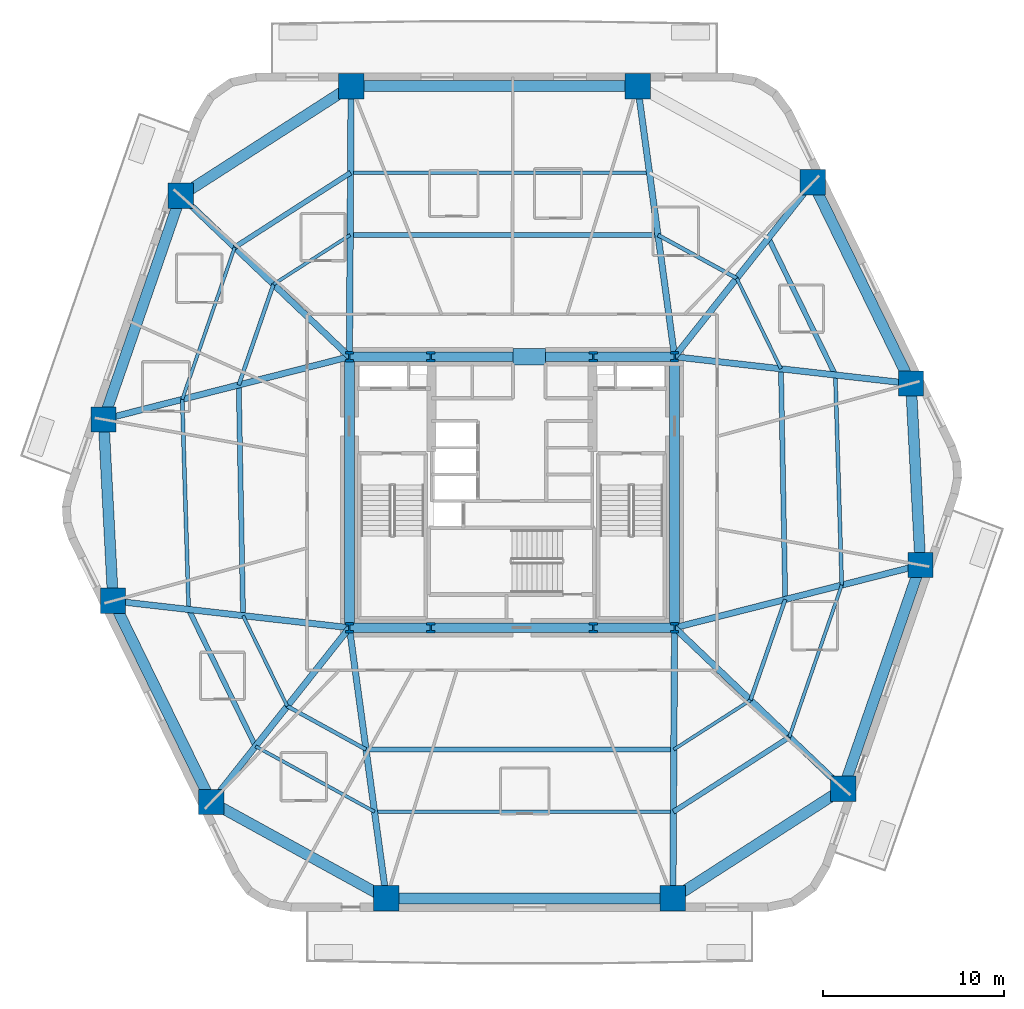
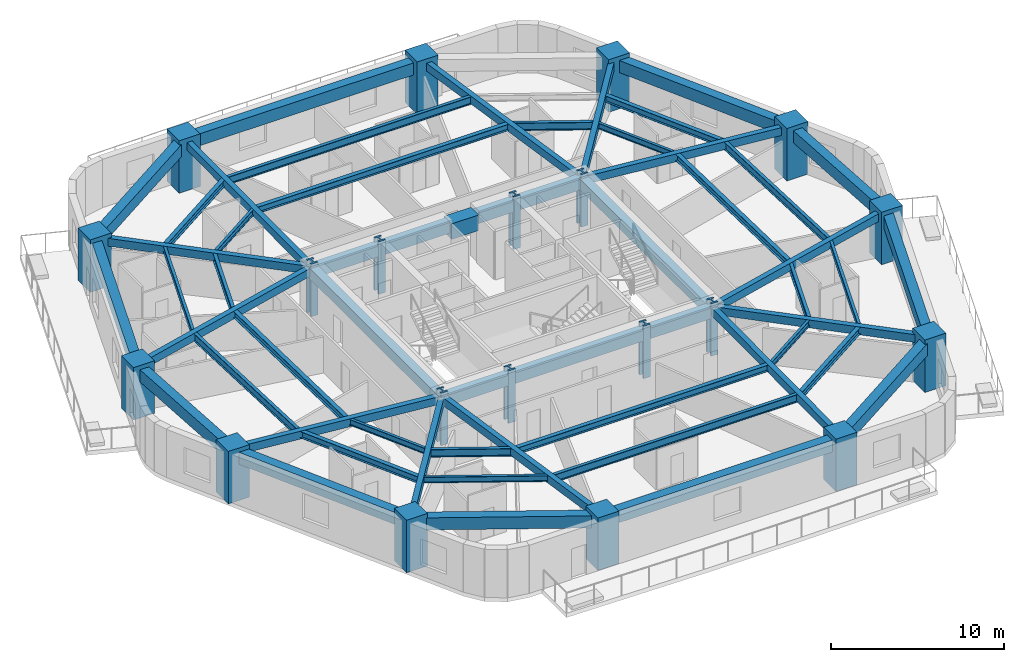
# One storey, part 1 of 10: 55 beams, 20 columns.
"""IFC4 building model written with IfcOpenShell, lengths in metres."""

from ifc_helpers import new_model, si_unit, direction, frame, origin, origin_2d, place, context, subcontext, project, spatial, rectangle, i_section, extrude, material, material_profile, profile_set, type_object, element, save


model = new_model("IFC4")

# Units and contexts
model_context = context("Model", 3, precision=1e-05, world=origin(), true_north=direction((0.0, 1.0)))
body_context = subcontext(model_context, "Body", "Model", "MODEL_VIEW")
ifc_project = project(units=[si_unit("LENGTHUNIT", "METRE"), si_unit("AREAUNIT", "SQUARE_METRE"), si_unit("VOLUMEUNIT", "CUBIC_METRE"), si_unit("PLANEANGLEUNIT", "RADIAN"), si_unit("MASSUNIT", "GRAM", prefix="KILO")], contexts=[model_context])

# Site, building, storey
site_placement = place(None, origin())
site = spatial("IfcSite", under=ifc_project, at=site_placement, CompositionType="ELEMENT")
building_placement = place(site_placement, origin())
building = spatial("IfcBuilding", under=site, at=building_placement, Name="Kilnhurst Terrace Hotel", CompositionType="ELEMENT")
storey_placement = place(building_placement, frame((0.0, 0.0, 71.199951171875)))
storey = spatial("IfcBuildingStorey", under=building, at=storey_placement, Name="L16", CompositionType="ELEMENT", Elevation=71.199951171875)

# Columns
ifc_material_1 = material(Name="Concrete C80/95", Category="concrete")
ifc_material_profile_1 = material_profile(ifc_material_1, rectangle(XDim=1.39990234375, YDim=1.39990234375, at=origin_2d()), Name="RC1400X1400")
ifc_profile_set_1 = profile_set([ifc_material_profile_1], Name="Concrete C80/95")
column_type_1 = type_object("IfcColumnType", Name="COL-RC-1400", PredefinedType="COLUMN", material=ifc_profile_set_1)
for number, where, z_axis, x_axis, name in (
    (1, (-6.955078125, -22.47998046875, 0.0), (0.0, 0.0, 1.0), (1.0, 0.0, 0.0), "L16 Structural Column PC-F11"),
    (2, (8.905029296875, -22.47998046875, 0.0), (0.0, 0.0, 1.0), (1.0, 0.0, 0.0), "L16 Structural Column PC-F12"),
    (3, (18.337890625, -16.410888671875, 0.0), (0.0, 0.0, 1.0), (1.0, 0.0, 0.0), "L16 Structural Column PC-F21"),
    (4, (22.60888671875, -4.029052734375, 0.0), (0.0, 0.0, 1.0), (1.0, 0.0, 0.0), "L16 Structural Column PC-F22"),
    (5, (22.083984375, 6.013916015625, 0.0), (0.0, 0.0, 1.0), (1.0, 0.0, 0.0), "L16 Structural Column PC-F31"),
    (6, (16.64306640625, 17.152099609375, 0.0), (0.0, 0.0, 1.0), (1.0, 0.0, 0.0), "L16 Structural Column PC-F32"),
    (7, (6.955078125, 22.47998046875, 0.0), (0.0, 0.0, 1.0), (1.0, 0.0, 0.0), "L16 Structural Column PC-F41"),
    (8, (-8.905029296875, 22.47998046875, 0.0), (0.0, 0.0, 1.0), (1.0, 0.0, 0.0), "L16 Structural Column PC-F42"),
    (9, (-18.337890625, 16.410888671875, 0.0), (0.0, 0.0, 1.0), (1.0, 0.0, 0.0), "L16 Structural Column PC-F51"),
    (10, (-22.60888671875, 4.029052734375, 0.0), (0.0, 0.0, 1.0), (1.0, 0.0, 0.0), "L16 Structural Column PC-F52"),
    (11, (-22.083984375, -6.013916015625, 0.0), (0.0, 0.0, 1.0), (1.0, 0.0, 0.0), "L16 Structural Column PC-F61"),
    (12, (-16.64306640625, -17.152099609375, 0.0), (0.0, 0.0, 1.0), (1.0, 0.0, 0.0), "L16 Structural Column PC-F62"),
):
    element("IfcColumn", number, at=place(storey_placement, frame(where, z_axis=z_axis, x_axis=x_axis)), inside=storey, type_object=column_type_1, Name=name, PredefinedType="COLUMN", context=body_context, shape_type="SweptSolid", body=[
        extrude(rectangle(XDim=1.39990234375, YDim=1.39990234375, at=origin_2d()), origin(), (0.0, 0.0, 1.0), 3.699951171875),
    ])
ifc_material_2 = material(Name="Steel ASTM A992 Grade 50", Category="steel")
ifc_material_profile_2 = material_profile(ifc_material_2, i_section(OverallWidth=0.454345703125, OverallDepth=0.569091796875, WebThickness=0.077880859375, FlangeThickness=0.124755859375, at=origin_2d()), Name="W14X730")
ifc_profile_set_2 = profile_set([ifc_material_profile_2], Name="Steel ASTM A992 Grade 50")
column_type_2 = type_object("IfcColumnType", Name="COL-STL-W14X730", PredefinedType="COLUMN", material=ifc_profile_set_2)
for number, where, z_axis, x_axis, name in (
    (13, (-9.0, -7.5, 0.0), (0.0, 0.0, 1.0), (1.0, 0.0, 0.0), "L16 Structural Column CC-SW"),
    (14, (-4.5, -7.5, 0.0), (0.0, 0.0, 1.0), (1.0, 0.0, 0.0), "L16 Structural Column CC-SC1"),
    (15, (4.5, -7.5, 0.0), (0.0, 0.0, 1.0), (1.0, 0.0, 0.0), "L16 Structural Column CC-SC2"),
    (16, (9.0, -7.5, 0.0), (0.0, 0.0, 1.0), (1.0, 0.0, 0.0), "L16 Structural Column CC-SE"),
    (17, (9.0, 7.5, 0.0), (0.0, 0.0, 1.0), (1.0, 0.0, 0.0), "L16 Structural Column CC-NE"),
    (18, (4.5, 7.5, 0.0), (0.0, 0.0, 1.0), (1.0, 0.0, 0.0), "L16 Structural Column CC-NC2"),
    (19, (-4.5, 7.5, 0.0), (0.0, 0.0, 1.0), (1.0, 0.0, 0.0), "L16 Structural Column CC-NC1"),
    (20, (-9.0, 7.5, 0.0), (0.0, 0.0, 1.0), (1.0, 0.0, 0.0), "L16 Structural Column CC-NW"),
):
    element("IfcColumn", number, at=place(storey_placement, frame(where, z_axis=z_axis, x_axis=x_axis)), inside=storey, type_object=column_type_2, Name=name, PredefinedType="COLUMN", context=body_context, shape_type="SweptSolid", body=[
        extrude(i_section(OverallWidth=0.454345703125, OverallDepth=0.569091796875, WebThickness=0.077880859375, FlangeThickness=0.124755859375, at=origin_2d()), origin(), (0.0, 0.0, 1.0), 3.699951171875),
    ])

# Beams
ifc_material_3 = material(Name="Concrete C50/60", Category="concrete")
ifc_material_profile_3 = material_profile(ifc_material_3, rectangle(XDim=0.35009765625, YDim=0.550048828125, at=origin_2d()), Name="RC350X550")
ifc_profile_set_3 = profile_set([ifc_material_profile_3], Name="Concrete C50/60")
beam_type_1 = type_object("IfcBeamType", Name="BM-RAD-350X550", PredefinedType="BEAM", material=ifc_profile_set_3)
beam_1_placement = place(storey_placement, frame((-9.0, -7.5, 3.125), z_axis=(0.13525588246, -0.990810701527, 0.0), x_axis=(0.990810701527, 0.13525588246, 0.0)))
element("IfcBeam", 21, at=beam_1_placement, inside=storey, type_object=beam_type_1, Name="L16 Radial Floor Beam 1", PredefinedType="BEAM", context=body_context, shape_type="SweptSolid", body=[
    extrude(rectangle(XDim=0.35009765625, YDim=0.550048828125, at=origin_2d()), origin(), (0.0, 0.0, 1.0), 15.118896484375),
])
beam_2_placement = place(storey_placement, frame((9.0, -7.5, 3.125), z_axis=(-0.006339714179, -0.99997990381, 0.0), x_axis=(0.99997990381, -0.006339714179, 0.0)))
element("IfcBeam", 22, at=beam_2_placement, inside=storey, type_object=beam_type_1, Name="L16 Radial Floor Beam 2", PredefinedType="BEAM", context=body_context, shape_type="SweptSolid", body=[
    extrude(rectangle(XDim=0.35009765625, YDim=0.550048828125, at=origin_2d()), origin(), (0.0, 0.0, 1.0), 14.980224609375),
])
beam_3_placement = place(storey_placement, frame((9.0, -7.5, 3.125), z_axis=(0.723454302813, -0.690372270403, 0.0), x_axis=(0.690372270403, 0.723454302813, 0.0)))
element("IfcBeam", 23, at=beam_3_placement, inside=storey, type_object=beam_type_1, Name="L16 Radial Floor Beam 3", PredefinedType="BEAM", context=body_context, shape_type="SweptSolid", body=[
    extrude(rectangle(XDim=0.35009765625, YDim=0.550048828125, at=origin_2d()), origin(), (0.0, 0.0, 1.0), 12.907470703125),
])
beam_4_placement = place(storey_placement, frame((9.0, -7.5, 3.125), z_axis=(0.968980179812, 0.247138445273, 0.0), x_axis=(-0.247138445273, 0.968980179812, 0.0)))
element("IfcBeam", 24, at=beam_4_placement, inside=storey, type_object=beam_type_1, Name="L16 Radial Floor Beam 4", PredefinedType="BEAM", context=body_context, shape_type="SweptSolid", body=[
    extrude(rectangle(XDim=0.35009765625, YDim=0.550048828125, at=origin_2d()), origin(), (0.0, 0.0, 1.0), 14.04443359375),
])
beam_5_placement = place(storey_placement, frame((9.0, 7.5, 3.125), z_axis=(0.993611493249, -0.112854776075, 0.0), x_axis=(0.112854776075, 0.993611493249, 0.0)))
element("IfcBeam", 25, at=beam_5_placement, inside=storey, type_object=beam_type_1, Name="L16 Radial Floor Beam 5", PredefinedType="BEAM", context=body_context, shape_type="SweptSolid", body=[
    extrude(rectangle(XDim=0.35009765625, YDim=0.550048828125, at=origin_2d()), origin(), (0.0, 0.0, 1.0), 13.168212890625),
])
beam_6_placement = place(storey_placement, frame((9.0, 7.5, 3.125), z_axis=(0.62079385707, 0.783973843329, 0.0), x_axis=(-0.783973843329, 0.62079385707, 0.0)))
element("IfcBeam", 26, at=beam_6_placement, inside=storey, type_object=beam_type_1, Name="L16 Radial Floor Beam 6", PredefinedType="BEAM", context=body_context, shape_type="SweptSolid", body=[
    extrude(rectangle(XDim=0.35009765625, YDim=0.550048828125, at=origin_2d()), origin(), (0.0, 0.0, 1.0), 12.311767578125),
])
beam_7_placement = place(storey_placement, frame((9.0, 7.5, 3.125), z_axis=(-0.13525588246, 0.990810701527, 0.0), x_axis=(-0.990810701527, -0.13525588246, 0.0)))
element("IfcBeam", 27, at=beam_7_placement, inside=storey, type_object=beam_type_1, Name="L16 Radial Floor Beam 7", PredefinedType="BEAM", context=body_context, shape_type="SweptSolid", body=[
    extrude(rectangle(XDim=0.35009765625, YDim=0.550048828125, at=origin_2d()), origin(), (0.0, 0.0, 1.0), 15.118896484375),
])
beam_8_placement = place(storey_placement, frame((-9.0, 7.5, 3.125), z_axis=(0.006339714179, 0.99997990381, 0.0), x_axis=(-0.99997990381, 0.006339714179, 0.0)))
element("IfcBeam", 28, at=beam_8_placement, inside=storey, type_object=beam_type_1, Name="L16 Radial Floor Beam 8", PredefinedType="BEAM", context=body_context, shape_type="SweptSolid", body=[
    extrude(rectangle(XDim=0.35009765625, YDim=0.550048828125, at=origin_2d()), origin(), (0.0, 0.0, 1.0), 14.980224609375),
])
beam_9_placement = place(storey_placement, frame((-9.0, 7.5, 3.125), z_axis=(-0.723454302813, 0.690372270403, 0.0), x_axis=(-0.690372270403, -0.723454302813, 0.0)))
element("IfcBeam", 29, at=beam_9_placement, inside=storey, type_object=beam_type_1, Name="L16 Radial Floor Beam 9", PredefinedType="BEAM", context=body_context, shape_type="SweptSolid", body=[
    extrude(rectangle(XDim=0.35009765625, YDim=0.550048828125, at=origin_2d()), origin(), (0.0, 0.0, 1.0), 12.907470703125),
])
beam_10_placement = place(storey_placement, frame((-9.0, 7.5, 3.125), z_axis=(-0.968980179812, -0.247138445273, 0.0), x_axis=(0.247138445273, -0.968980179812, 0.0)))
element("IfcBeam", 30, at=beam_10_placement, inside=storey, type_object=beam_type_1, Name="L16 Radial Floor Beam 10", PredefinedType="BEAM", context=body_context, shape_type="SweptSolid", body=[
    extrude(rectangle(XDim=0.35009765625, YDim=0.550048828125, at=origin_2d()), origin(), (0.0, 0.0, 1.0), 14.04443359375),
])
beam_11_placement = place(storey_placement, frame((-9.0, -7.5, 3.125), z_axis=(-0.993611493249, 0.112854776075, 0.0), x_axis=(-0.112854776075, -0.993611493249, 0.0)))
element("IfcBeam", 31, at=beam_11_placement, inside=storey, type_object=beam_type_1, Name="L16 Radial Floor Beam 11", PredefinedType="BEAM", context=body_context, shape_type="SweptSolid", body=[
    extrude(rectangle(XDim=0.35009765625, YDim=0.550048828125, at=origin_2d()), origin(), (0.0, 0.0, 1.0), 13.168212890625),
])
beam_12_placement = place(storey_placement, frame((-9.0, -7.5, 3.125), z_axis=(-0.62079385707, -0.783973843329, 0.0), x_axis=(0.783973843329, -0.62079385707, 0.0)))
element("IfcBeam", 32, at=beam_12_placement, inside=storey, type_object=beam_type_1, Name="L16 Radial Floor Beam 12", PredefinedType="BEAM", context=body_context, shape_type="SweptSolid", body=[
    extrude(rectangle(XDim=0.35009765625, YDim=0.550048828125, at=origin_2d()), origin(), (0.0, 0.0, 1.0), 12.311767578125),
])
ifc_material_profile_4 = material_profile(ifc_material_3, rectangle(XDim=0.550048828125, YDim=0.75, at=origin_2d()), Name="RC550X750")
ifc_profile_set_4 = profile_set([ifc_material_profile_4], Name="Concrete C50/60")
beam_type_2 = type_object("IfcBeamType", Name="BM-SPN-550X750", PredefinedType="SPANDREL", material=ifc_profile_set_4)
beam_13_placement = place(storey_placement, frame((-9.0, 7.5, 3.025146484375), z_axis=(1.0, 0.0, 0.0), x_axis=(0.0, 1.0, 0.0)))
element("IfcBeam", 33, at=beam_13_placement, inside=storey, type_object=beam_type_2, Name="L16 Core Tie Beam CC-NW to CC-NC1", PredefinedType="SPANDREL", context=body_context, shape_type="SweptSolid", body=[
    extrude(rectangle(XDim=0.550048828125, YDim=0.75, at=origin_2d()), origin(), (0.0, 0.0, 1.0), 4.5),
])
beam_14_placement = place(storey_placement, frame((-4.5, 7.5, 3.025146484375), z_axis=(1.0, 0.0, 0.0), x_axis=(0.0, 1.0, 0.0)))
element("IfcBeam", 34, at=beam_14_placement, inside=storey, type_object=beam_type_2, Name="L16 Core Tie Beam CC-NC1 to CC-NC2", PredefinedType="SPANDREL", context=body_context, shape_type="SweptSolid", body=[
    extrude(rectangle(XDim=0.550048828125, YDim=0.75, at=origin_2d()), origin(), (0.0, 0.0, 1.0), 9.0),
])
for number, where, z_axis, x_axis, name in (
    (35, (4.5, 7.5, 3.025146484375), (1.0, 0.0, 0.0), (0.0, 1.0, 0.0), "L16 Core Tie Beam CC-NC2 to CC-NE"),
    (36, (-9.0, -7.5, 3.025146484375), (1.0, 0.0, 0.0), (0.0, 1.0, 0.0), "L16 Core Tie Beam CC-SW to CC-SC1"),
):
    element("IfcBeam", number, at=place(storey_placement, frame(where, z_axis=z_axis, x_axis=x_axis)), inside=storey, type_object=beam_type_2, Name=name, PredefinedType="SPANDREL", context=body_context, shape_type="SweptSolid", body=[
        extrude(rectangle(XDim=0.550048828125, YDim=0.75, at=origin_2d()), origin(), (0.0, 0.0, 1.0), 4.5),
    ])
beam_15_placement = place(storey_placement, frame((-4.5, -7.5, 3.025146484375), z_axis=(1.0, 0.0, 0.0), x_axis=(0.0, 1.0, 0.0)))
element("IfcBeam", 37, at=beam_15_placement, inside=storey, type_object=beam_type_2, Name="L16 Core Tie Beam CC-SC1 to CC-SC2", PredefinedType="SPANDREL", context=body_context, shape_type="SweptSolid", body=[
    extrude(rectangle(XDim=0.550048828125, YDim=0.75, at=origin_2d()), origin(), (0.0, 0.0, 1.0), 9.0),
])
beam_16_placement = place(storey_placement, frame((4.5, -7.5, 3.025146484375), z_axis=(1.0, 0.0, 0.0), x_axis=(0.0, 1.0, 0.0)))
element("IfcBeam", 38, at=beam_16_placement, inside=storey, type_object=beam_type_2, Name="L16 Core Tie Beam CC-SC2 to CC-SE", PredefinedType="SPANDREL", context=body_context, shape_type="SweptSolid", body=[
    extrude(rectangle(XDim=0.550048828125, YDim=0.75, at=origin_2d()), origin(), (0.0, 0.0, 1.0), 4.5),
])
for number, where, z_axis, x_axis, name in (
    (39, (-9.0, -7.5, 3.025146484375), (0.0, 1.0, 0.0), (-1.0, 0.0, 0.0), "L16 Core Tie Beam CC-SW to CC-NW"),
    (40, (9.0, -7.5, 3.025146484375), (0.0, 1.0, 0.0), (-1.0, 0.0, 0.0), "L16 Core Tie Beam CC-SE to CC-NE"),
):
    element("IfcBeam", number, at=place(storey_placement, frame(where, z_axis=z_axis, x_axis=x_axis)), inside=storey, type_object=beam_type_2, Name=name, PredefinedType="SPANDREL", context=body_context, shape_type="SweptSolid", body=[
        extrude(rectangle(XDim=0.550048828125, YDim=0.75, at=origin_2d()), origin(), (0.0, 0.0, 1.0), 15.0),
    ])
ifc_material_profile_5 = material_profile(ifc_material_3, rectangle(XDim=0.60009765625, YDim=0.85009765625, at=origin_2d()), Name="RC600X850")
ifc_profile_set_5 = profile_set([ifc_material_profile_5], Name="Concrete C50/60")
beam_type_3 = type_object("IfcBeamType", Name="BM-SPN-600X850", PredefinedType="SPANDREL", material=ifc_profile_set_5)
beam_17_placement = place(storey_placement, frame((-6.955078125, -22.47998046875, 2.97509765625), z_axis=(1.0, 0.0, 0.0), x_axis=(0.0, 1.0, 0.0)))
element("IfcBeam", 41, at=beam_17_placement, inside=storey, type_object=beam_type_3, Name="L16 Perimeter Spandrel Beam 1", PredefinedType="SPANDREL", context=body_context, shape_type="SweptSolid", body=[
    extrude(rectangle(XDim=0.60009765625, YDim=0.85009765625, at=origin_2d()), origin(), (0.0, 0.0, 1.0), 15.860107421875),
])
beam_18_placement = place(storey_placement, frame((8.905029296875, -22.47998046875, 2.97509765625), z_axis=(0.840971204873, 0.541079876335, 0.0), x_axis=(-0.541079876335, 0.840971204873, 0.0)))
element("IfcBeam", 42, at=beam_18_placement, inside=storey, type_object=beam_type_3, Name="L16 Perimeter Spandrel Beam 2", PredefinedType="SPANDREL", context=body_context, shape_type="SweptSolid", body=[
    extrude(rectangle(XDim=0.60009765625, YDim=0.85009765625, at=origin_2d()), origin(), (0.0, 0.0, 1.0), 11.216552734375),
])
beam_19_placement = place(storey_placement, frame((18.337890625, -16.410888671875, 2.97509765625), z_axis=(0.326086040191, 0.945340094565, 0.0), x_axis=(-0.945340094565, 0.326086040191, 0.0)))
element("IfcBeam", 43, at=beam_19_placement, inside=storey, type_object=beam_type_3, Name="L16 Perimeter Spandrel Beam 3", PredefinedType="SPANDREL", context=body_context, shape_type="SweptSolid", body=[
    extrude(rectangle(XDim=0.60009765625, YDim=0.85009765625, at=origin_2d()), origin(), (0.0, 0.0, 1.0), 13.09765625),
])
beam_20_placement = place(storey_placement, frame((22.60888671875, -4.029052734375, 2.97509765625), z_axis=(-0.052194414298, 0.998636942595, 0.0), x_axis=(-0.998636942595, -0.052194414298, 0.0)))
element("IfcBeam", 44, at=beam_20_placement, inside=storey, type_object=beam_type_3, Name="L16 Perimeter Spandrel Beam 4", PredefinedType="SPANDREL", context=body_context, shape_type="SweptSolid", body=[
    extrude(rectangle(XDim=0.60009765625, YDim=0.85009765625, at=origin_2d()), origin(), (0.0, 0.0, 1.0), 10.056640625),
])
beam_21_placement = place(storey_placement, frame((22.083984375, 6.013916015625, 2.97509765625), z_axis=(-0.438922573627, 0.898524888003, 0.0), x_axis=(-0.898524888003, -0.438922573627, 0.0)))
element("IfcBeam", 45, at=beam_21_placement, inside=storey, type_object=beam_type_3, Name="L16 Perimeter Spandrel Beam 5", PredefinedType="SPANDREL", context=body_context, shape_type="SweptSolid", body=[
    extrude(rectangle(XDim=0.60009765625, YDim=0.85009765625, at=origin_2d()), origin(), (0.0, 0.0, 1.0), 12.39599609375),
])
beam_22_placement = place(storey_placement, frame((6.955078125, 22.47998046875, 2.97509765625), z_axis=(-1.0, 0.0, 0.0), x_axis=(0.0, -1.0, 0.0)))
element("IfcBeam", 46, at=beam_22_placement, inside=storey, type_object=beam_type_3, Name="L16 Perimeter Spandrel Beam 7", PredefinedType="SPANDREL", context=body_context, shape_type="SweptSolid", body=[
    extrude(rectangle(XDim=0.60009765625, YDim=0.85009765625, at=origin_2d()), origin(), (0.0, 0.0, 1.0), 15.860107421875),
])
beam_23_placement = place(storey_placement, frame((-8.905029296875, 22.47998046875, 2.97509765625), z_axis=(-0.840971204873, -0.541079876335, 0.0), x_axis=(0.541079876335, -0.840971204873, 0.0)))
element("IfcBeam", 47, at=beam_23_placement, inside=storey, type_object=beam_type_3, Name="L16 Perimeter Spandrel Beam 8", PredefinedType="SPANDREL", context=body_context, shape_type="SweptSolid", body=[
    extrude(rectangle(XDim=0.60009765625, YDim=0.85009765625, at=origin_2d()), origin(), (0.0, 0.0, 1.0), 11.216552734375),
])
beam_24_placement = place(storey_placement, frame((-18.337890625, 16.410888671875, 2.97509765625), z_axis=(-0.326086040191, -0.945340094565, 0.0), x_axis=(0.945340094565, -0.326086040191, 0.0)))
element("IfcBeam", 48, at=beam_24_placement, inside=storey, type_object=beam_type_3, Name="L16 Perimeter Spandrel Beam 9", PredefinedType="SPANDREL", context=body_context, shape_type="SweptSolid", body=[
    extrude(rectangle(XDim=0.60009765625, YDim=0.85009765625, at=origin_2d()), origin(), (0.0, 0.0, 1.0), 13.09765625),
])
beam_25_placement = place(storey_placement, frame((-22.60888671875, 4.029052734375, 2.97509765625), z_axis=(0.052194414298, -0.998636942595, 0.0), x_axis=(0.998636942595, 0.052194414298, 0.0)))
element("IfcBeam", 49, at=beam_25_placement, inside=storey, type_object=beam_type_3, Name="L16 Perimeter Spandrel Beam 10", PredefinedType="SPANDREL", context=body_context, shape_type="SweptSolid", body=[
    extrude(rectangle(XDim=0.60009765625, YDim=0.85009765625, at=origin_2d()), origin(), (0.0, 0.0, 1.0), 10.056640625),
])
beam_26_placement = place(storey_placement, frame((-22.083984375, -6.013916015625, 2.97509765625), z_axis=(0.438922573627, -0.898524888003, 0.0), x_axis=(0.898524888003, 0.438922573627, 0.0)))
element("IfcBeam", 50, at=beam_26_placement, inside=storey, type_object=beam_type_3, Name="L16 Perimeter Spandrel Beam 11", PredefinedType="SPANDREL", context=body_context, shape_type="SweptSolid", body=[
    extrude(rectangle(XDim=0.60009765625, YDim=0.85009765625, at=origin_2d()), origin(), (0.0, 0.0, 1.0), 12.39599609375),
])
beam_27_placement = place(storey_placement, frame((-16.64306640625, -17.152099609375, 2.97509765625), z_axis=(0.876235488803, -0.481883147829, 0.0), x_axis=(0.481883147829, 0.876235488803, 0.0)))
element("IfcBeam", 51, at=beam_27_placement, inside=storey, type_object=beam_type_3, Name="L16 Perimeter Spandrel Beam 12", PredefinedType="SPANDREL", context=body_context, shape_type="SweptSolid", body=[
    extrude(rectangle(XDim=0.60009765625, YDim=0.85009765625, at=origin_2d()), origin(), (0.0, 0.0, 1.0), 11.056396484375),
])
ifc_material_profile_6 = material_profile(ifc_material_2, i_section(OverallWidth=0.180908203125, OverallDepth=0.417236328125, WebThickness=0.010986328125, FlangeThickness=0.018310546875, at=origin_2d()), Name="W16X57")
ifc_profile_set_6 = profile_set([ifc_material_profile_6], Name="Steel ASTM A992 Grade 50")
beam_type_4 = type_object("IfcBeamType", Name="JST-STL-W16X57", PredefinedType="JOIST", material=ifc_profile_set_6)
for number, where, z_axis, x_axis, name in (
    (52, (15.349853515625, -13.5595703125, 3.191162109375), (0.326078536201, 0.945342682961, 0.0), (-0.945342682961, 0.326078536201, 0.0), "L16 Secondary Floor Steel Joist OUT.3"),
    (53, (-15.349853515625, 13.5595703125, 3.191162109375), (-0.326078536201, -0.945342682961, 0.0), (0.945342682961, -0.326078536201, 0.0), "L16 Secondary Floor Steel Joist OUT.9"),
):
    element("IfcBeam", number, at=place(storey_placement, frame(where, z_axis=z_axis, x_axis=x_axis)), inside=storey, type_object=beam_type_4, Name=name, PredefinedType="JOIST", context=body_context, shape_type="SweptSolid", body=[
        extrude(i_section(OverallWidth=0.180908203125, OverallDepth=0.417236328125, WebThickness=0.010986328125, FlangeThickness=0.018310546875, at=origin_2d()), origin(), (0.0, 0.0, 1.0), 8.90673828125),
    ])
beam_28_placement = place(storey_placement, frame((-14.197265625, -14.0634765625, 3.191162109375), z_axis=(0.876246073632, -0.481863900334, 0.0), x_axis=(0.481863900334, 0.876246073632, 0.0)))
element("IfcBeam", 54, at=beam_28_placement, inside=storey, type_object=beam_type_4, Name="L16 Secondary Floor Steel Joist OUT.12", PredefinedType="JOIST", context=body_context, shape_type="SweptSolid", body=[
    extrude(i_section(OverallWidth=0.180908203125, OverallDepth=0.417236328125, WebThickness=0.010986328125, FlangeThickness=0.018310546875, at=origin_2d()), origin(), (0.0, 0.0, 1.0), 7.518310546875),
])
beam_29_placement = place(storey_placement, frame((8.957275390625, -14.240966796875, 3.191162109375), z_axis=(0.840988265896, 0.541053358389, 0.0), x_axis=(-0.541053358389, 0.840988265896, 0.0)))
element("IfcBeam", 55, at=beam_29_placement, inside=storey, type_object=beam_type_4, Name="L16 Secondary Floor Steel Joist IN.2", PredefinedType="JOIST", context=body_context, shape_type="SweptSolid", body=[
    extrude(i_section(OverallWidth=0.180908203125, OverallDepth=0.417236328125, WebThickness=0.010986328125, FlangeThickness=0.018310546875, at=origin_2d()), origin(), (0.0, 0.0, 1.0), 5.04736328125),
])
beam_30_placement = place(storey_placement, frame((14.8876953125, 6.831298828125, 3.191162109375), z_axis=(-0.438896112695, 0.898537813484, 0.0), x_axis=(-0.898537813484, -0.438896112695, 0.0)))
element("IfcBeam", 56, at=beam_30_placement, inside=storey, type_object=beam_type_4, Name="L16 Secondary Floor Steel Joist IN.5", PredefinedType="JOIST", context=body_context, shape_type="SweptSolid", body=[
    extrude(i_section(OverallWidth=0.180908203125, OverallDepth=0.417236328125, WebThickness=0.010986328125, FlangeThickness=0.018310546875, at=origin_2d()), origin(), (0.0, 0.0, 1.0), 5.578125),
])
beam_31_placement = place(storey_placement, frame((-8.957275390625, 14.240966796875, 3.191162109375), z_axis=(-0.840988265896, -0.541053358389, 0.0), x_axis=(0.541053358389, -0.840988265896, 0.0)))
element("IfcBeam", 57, at=beam_31_placement, inside=storey, type_object=beam_type_4, Name="L16 Secondary Floor Steel Joist IN.8", PredefinedType="JOIST", context=body_context, shape_type="SweptSolid", body=[
    extrude(i_section(OverallWidth=0.180908203125, OverallDepth=0.417236328125, WebThickness=0.010986328125, FlangeThickness=0.018310546875, at=origin_2d()), origin(), (0.0, 0.0, 1.0), 5.04736328125),
])
beam_32_placement = place(storey_placement, frame((-14.8876953125, -6.831298828125, 3.191162109375), z_axis=(0.438896112695, -0.898537813484, 0.0), x_axis=(0.898537813484, 0.438896112695, 0.0)))
element("IfcBeam", 58, at=beam_32_placement, inside=storey, type_object=beam_type_4, Name="L16 Secondary Floor Steel Joist IN.11", PredefinedType="JOIST", context=body_context, shape_type="SweptSolid", body=[
    extrude(i_section(OverallWidth=0.180908203125, OverallDepth=0.417236328125, WebThickness=0.010986328125, FlangeThickness=0.018310546875, at=origin_2d()), origin(), (0.0, 0.0, 1.0), 5.578125),
])
ifc_material_profile_7 = material_profile(ifc_material_2, i_section(OverallWidth=0.279296875, OverallDepth=0.462890625, WebThickness=0.0107421875, FlangeThickness=0.017333984375, at=origin_2d()), Name="W18X76")
ifc_profile_set_7 = profile_set([ifc_material_profile_7], Name="Steel ASTM A992 Grade 50")
beam_type_5 = type_object("IfcBeamType", Name="JST-STL-W18X76", PredefinedType="JOIST", material=ifc_profile_set_7)
beam_33_placement = place(storey_placement, frame((8.935302734375, -17.686279296875, 3.16796875), z_axis=(0.840995388529, 0.54104228714, 0.0), x_axis=(-0.54104228714, 0.840995388529, 0.0)))
element("IfcBeam", 59, at=beam_33_placement, inside=storey, type_object=beam_type_5, Name="L16 Secondary Floor Steel Joist OUT.2", PredefinedType="JOIST", context=body_context, shape_type="SweptSolid", body=[
    extrude(i_section(OverallWidth=0.279296875, OverallDepth=0.462890625, WebThickness=0.0107421875, FlangeThickness=0.017333984375, at=origin_2d()), origin(), (0.0, 0.0, 1.0), 7.62744140625),
])
beam_34_placement = place(storey_placement, frame((17.897216796875, 6.489501953125, 3.16796875), z_axis=(-0.438934275949, 0.898519171413, 0.0), x_axis=(-0.898519171413, -0.438934275949, 0.0)))
element("IfcBeam", 60, at=beam_34_placement, inside=storey, type_object=beam_type_5, Name="L16 Secondary Floor Steel Joist OUT.5", PredefinedType="JOIST", context=body_context, shape_type="SweptSolid", body=[
    extrude(i_section(OverallWidth=0.279296875, OverallDepth=0.462890625, WebThickness=0.0107421875, FlangeThickness=0.017333984375, at=origin_2d()), origin(), (0.0, 0.0, 1.0), 8.429443359375),
])
beam_35_placement = place(storey_placement, frame((-8.935302734375, 17.686279296875, 3.16796875), z_axis=(-0.840995388529, -0.54104228714, 0.0), x_axis=(0.54104228714, -0.840995388529, 0.0)))
element("IfcBeam", 61, at=beam_35_placement, inside=storey, type_object=beam_type_5, Name="L16 Secondary Floor Steel Joist OUT.8", PredefinedType="JOIST", context=body_context, shape_type="SweptSolid", body=[
    extrude(i_section(OverallWidth=0.279296875, OverallDepth=0.462890625, WebThickness=0.0107421875, FlangeThickness=0.017333984375, at=origin_2d()), origin(), (0.0, 0.0, 1.0), 7.62744140625),
])
beam_36_placement = place(storey_placement, frame((-17.897216796875, -6.489501953125, 3.16796875), z_axis=(0.438934275949, -0.898519171413, 0.0), x_axis=(0.898519171413, 0.438934275949, 0.0)))
element("IfcBeam", 62, at=beam_36_placement, inside=storey, type_object=beam_type_5, Name="L16 Secondary Floor Steel Joist OUT.11", PredefinedType="JOIST", context=body_context, shape_type="SweptSolid", body=[
    extrude(i_section(OverallWidth=0.279296875, OverallDepth=0.462890625, WebThickness=0.0107421875, FlangeThickness=0.017333984375, at=origin_2d()), origin(), (0.0, 0.0, 1.0), 8.429443359375),
])
beam_37_placement = place(storey_placement, frame((-8.079833984375, -14.240966796875, 3.16796875), z_axis=(1.0, 0.0, 0.0), x_axis=(0.0, 1.0, 0.0)))
element("IfcBeam", 63, at=beam_37_placement, inside=storey, type_object=beam_type_5, Name="L16 Secondary Floor Steel Joist IN.1", PredefinedType="JOIST", context=body_context, shape_type="SweptSolid", body=[
    extrude(i_section(OverallWidth=0.279296875, OverallDepth=0.462890625, WebThickness=0.0107421875, FlangeThickness=0.017333984375, at=origin_2d()), origin(), (0.0, 0.0, 1.0), 17.037109375),
])
beam_38_placement = place(storey_placement, frame((15.1240234375, -5.93798828125, 3.16796875), z_axis=(-0.018504373716, 0.999828779418, 0.0), x_axis=(-0.999828779418, -0.018504373716, 0.0)))
element("IfcBeam", 64, at=beam_38_placement, inside=storey, type_object=beam_type_5, Name="L16 Secondary Floor Steel Joist IN.4", PredefinedType="JOIST", context=body_context, shape_type="SweptSolid", body=[
    extrude(i_section(OverallWidth=0.279296875, OverallDepth=0.462890625, WebThickness=0.0107421875, FlangeThickness=0.017333984375, at=origin_2d()), origin(), (0.0, 0.0, 1.0), 12.771484375),
])
beam_39_placement = place(storey_placement, frame((8.079833984375, 14.240966796875, 3.16796875), z_axis=(-1.0, 0.0, 0.0), x_axis=(0.0, -1.0, 0.0)))
element("IfcBeam", 65, at=beam_39_placement, inside=storey, type_object=beam_type_5, Name="L16 Secondary Floor Steel Joist IN.7", PredefinedType="JOIST", context=body_context, shape_type="SweptSolid", body=[
    extrude(i_section(OverallWidth=0.279296875, OverallDepth=0.462890625, WebThickness=0.0107421875, FlangeThickness=0.017333984375, at=origin_2d()), origin(), (0.0, 0.0, 1.0), 17.037109375),
])
beam_40_placement = place(storey_placement, frame((-15.1240234375, 5.93798828125, 3.16796875), z_axis=(0.018504373716, -0.999828779418, 0.0), x_axis=(0.999828779418, 0.018504373716, 0.0)))
element("IfcBeam", 66, at=beam_40_placement, inside=storey, type_object=beam_type_5, Name="L16 Secondary Floor Steel Joist IN.10", PredefinedType="JOIST", context=body_context, shape_type="SweptSolid", body=[
    extrude(i_section(OverallWidth=0.279296875, OverallDepth=0.462890625, WebThickness=0.0107421875, FlangeThickness=0.017333984375, at=origin_2d()), origin(), (0.0, 0.0, 1.0), 12.771484375),
])
ifc_material_profile_8 = material_profile(ifc_material_2, i_section(OverallWidth=0.2138671875, OverallDepth=0.549072265625, WebThickness=0.0146484375, FlangeThickness=0.023681640625, at=origin_2d()), Name="W21X93")
ifc_profile_set_8 = profile_set([ifc_material_profile_8], Name="Steel ASTM A992 Grade 50")
beam_type_6 = type_object("IfcBeamType", Name="JST-STL-W21X93", PredefinedType="JOIST", material=ifc_profile_set_8)
beam_41_placement = place(storey_placement, frame((-7.609375, -17.686279296875, 3.125), z_axis=(1.0, 0.0, 0.0), x_axis=(0.0, 1.0, 0.0)))
element("IfcBeam", 67, at=beam_41_placement, inside=storey, type_object=beam_type_6, Name="L16 Secondary Floor Steel Joist OUT.1", PredefinedType="JOIST", context=body_context, shape_type="SweptSolid", body=[
    extrude(i_section(OverallWidth=0.2138671875, OverallDepth=0.549072265625, WebThickness=0.0146484375, FlangeThickness=0.023681640625, at=origin_2d()), origin(), (0.0, 0.0, 1.0), 16.544677734375),
])
beam_42_placement = place(storey_placement, frame((18.254150390625, -5.1396484375, 3.125), z_axis=(-0.030678559818, 0.999529302206, 0.0), x_axis=(-0.999529302206, -0.030678559818, 0.0)))
element("IfcBeam", 68, at=beam_42_placement, inside=storey, type_object=beam_type_6, Name="L16 Secondary Floor Steel Joist OUT.4", PredefinedType="JOIST", context=body_context, shape_type="SweptSolid", body=[
    extrude(i_section(OverallWidth=0.2138671875, OverallDepth=0.549072265625, WebThickness=0.0146484375, FlangeThickness=0.023681640625, at=origin_2d()), origin(), (0.0, 0.0, 1.0), 11.634521484375),
])
beam_43_placement = place(storey_placement, frame((7.609375, 17.686279296875, 3.125), z_axis=(-1.0, 0.0, 0.0), x_axis=(0.0, -1.0, 0.0)))
element("IfcBeam", 69, at=beam_43_placement, inside=storey, type_object=beam_type_6, Name="L16 Secondary Floor Steel Joist OUT.7", PredefinedType="JOIST", context=body_context, shape_type="SweptSolid", body=[
    extrude(i_section(OverallWidth=0.2138671875, OverallDepth=0.549072265625, WebThickness=0.0146484375, FlangeThickness=0.023681640625, at=origin_2d()), origin(), (0.0, 0.0, 1.0), 16.544677734375),
])
beam_44_placement = place(storey_placement, frame((-18.254150390625, 5.1396484375, 3.125), z_axis=(0.030678559818, -0.999529302206, 0.0), x_axis=(0.999529302206, 0.030678559818, 0.0)))
element("IfcBeam", 70, at=beam_44_placement, inside=storey, type_object=beam_type_6, Name="L16 Secondary Floor Steel Joist OUT.10", PredefinedType="JOIST", context=body_context, shape_type="SweptSolid", body=[
    extrude(i_section(OverallWidth=0.2138671875, OverallDepth=0.549072265625, WebThickness=0.0146484375, FlangeThickness=0.023681640625, at=origin_2d()), origin(), (0.0, 0.0, 1.0), 11.634521484375),
])
beam_45_placement = place(storey_placement, frame((13.2021484375, -11.510009765625, 3.125), z_axis=(0.326064720391, 0.945347448358, 0.0), x_axis=(-0.945347448358, 0.326064720391, 0.0)))
element("IfcBeam", 71, at=beam_45_placement, inside=storey, type_object=beam_type_6, Name="L16 Secondary Floor Steel Joist IN.3", PredefinedType="JOIST", context=body_context, shape_type="SweptSolid", body=[
    extrude(i_section(OverallWidth=0.2138671875, OverallDepth=0.549072265625, WebThickness=0.0146484375, FlangeThickness=0.023681640625, at=origin_2d()), origin(), (0.0, 0.0, 1.0), 5.89404296875),
])
beam_46_placement = place(storey_placement, frame((12.439453125, 11.843505859375, 3.125), z_axis=(-0.876243879955, 0.481867889408, 0.0), x_axis=(-0.481867889408, -0.876243879955, 0.0)))
element("IfcBeam", 72, at=beam_46_placement, inside=storey, type_object=beam_type_6, Name="L16 Secondary Floor Steel Joist IN.6", PredefinedType="JOIST", context=body_context, shape_type="SweptSolid", body=[
    extrude(i_section(OverallWidth=0.2138671875, OverallDepth=0.549072265625, WebThickness=0.0146484375, FlangeThickness=0.023681640625, at=origin_2d()), origin(), (0.0, 0.0, 1.0), 4.975341796875),
])
beam_47_placement = place(storey_placement, frame((-13.2021484375, 11.510009765625, 3.125), z_axis=(-0.326064720391, -0.945347448358, 0.0), x_axis=(0.945347448358, -0.326064720391, 0.0)))
element("IfcBeam", 73, at=beam_47_placement, inside=storey, type_object=beam_type_6, Name="L16 Secondary Floor Steel Joist IN.9", PredefinedType="JOIST", context=body_context, shape_type="SweptSolid", body=[
    extrude(i_section(OverallWidth=0.2138671875, OverallDepth=0.549072265625, WebThickness=0.0146484375, FlangeThickness=0.023681640625, at=origin_2d()), origin(), (0.0, 0.0, 1.0), 5.89404296875),
])
beam_48_placement = place(storey_placement, frame((-12.439453125, -11.843505859375, 3.125), z_axis=(0.876243879955, -0.481867889408, 0.0), x_axis=(0.481867889408, 0.876243879955, 0.0)))
element("IfcBeam", 74, at=beam_48_placement, inside=storey, type_object=beam_type_6, Name="L16 Secondary Floor Steel Joist IN.12", PredefinedType="JOIST", context=body_context, shape_type="SweptSolid", body=[
    extrude(i_section(OverallWidth=0.2138671875, OverallDepth=0.549072265625, WebThickness=0.0146484375, FlangeThickness=0.023681640625, at=origin_2d()), origin(), (0.0, 0.0, 1.0), 4.975341796875),
])
ifc_material_profile_9 = material_profile(ifc_material_1, rectangle(XDim=0.89990234375, YDim=1.10009765625, at=origin_2d()), Name="RC900X1100")
ifc_profile_set_9 = profile_set([ifc_material_profile_9], Name="Concrete C80/95")
beam_type_7 = type_object("IfcBeamType", Name="LNT-CB-900X1100", PredefinedType="LINTEL", material=ifc_profile_set_9)
beam_49_placement = place(storey_placement, frame((0.050048828125, 7.5, 2.85009765625), z_axis=(1.0, 0.0, 0.0), x_axis=(0.0, 1.0, 0.0)))
element("IfcBeam", 75, at=beam_49_placement, inside=storey, type_object=beam_type_7, Name="L16 North Core Coupling Link Beam", PredefinedType="LINTEL", context=body_context, shape_type="SweptSolid", body=[
    extrude(rectangle(XDim=0.89990234375, YDim=1.10009765625, at=origin_2d()), origin(), (0.0, 0.0, 1.0), 1.800048828125),
])

save(model, "model.ifc")
